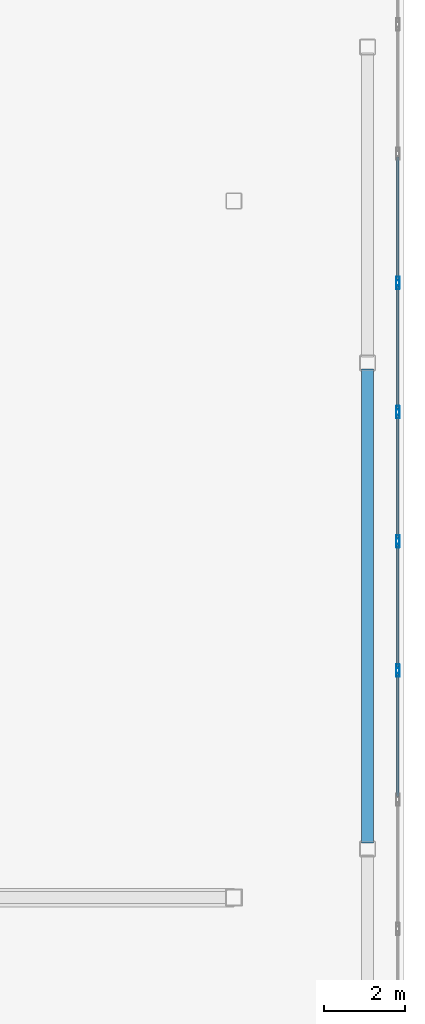
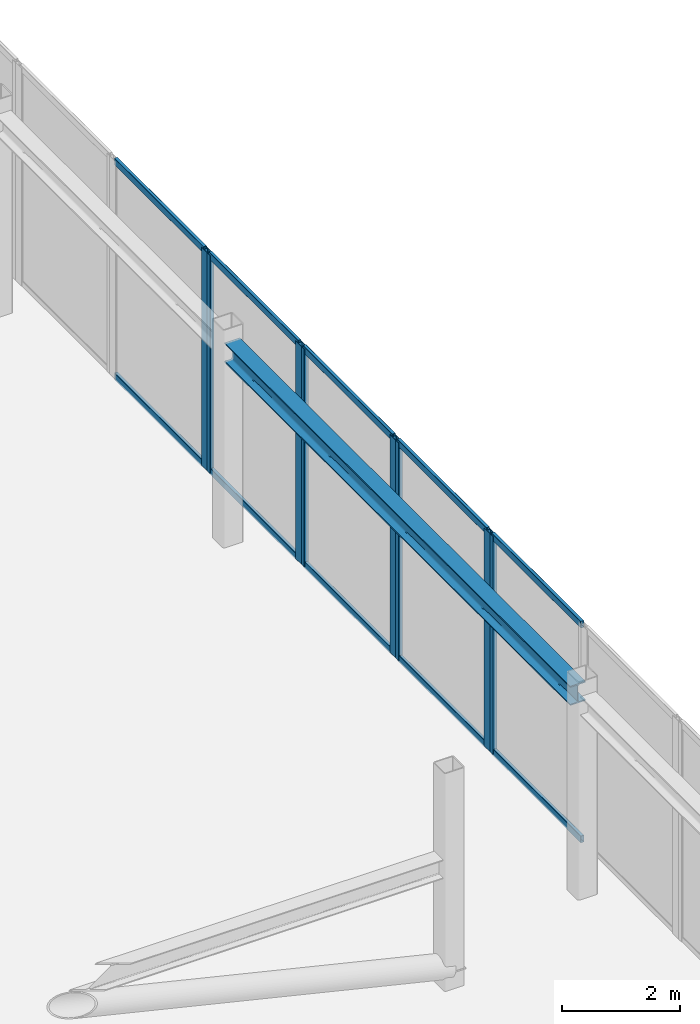
# One storey, part 9 of 16: 18 members, 1 beam, 5 elements without a shape of their own.
"""IFC4 building model written with IfcOpenShell, lengths in metres."""

from ifc_helpers import new_model, si_unit, direction, frame, origin, origin_2d, place, context, subcontext, project, spatial, hollow_rectangle, i_section, extrude, material, layer, layer_set, material_profile, profile_set, type_object, element, aggregate, save


model = new_model("IFC4")

# Units and contexts
model_context = context("Model", 3, precision=1e-05, world=origin(), true_north=direction((0.0, 1.0)))
body_context = subcontext(model_context, "Body", "Model", "MODEL_VIEW")
ifc_project = project(units=[si_unit("LENGTHUNIT", "METRE"), si_unit("AREAUNIT", "SQUARE_METRE"), si_unit("VOLUMEUNIT", "CUBIC_METRE"), si_unit("PLANEANGLEUNIT", "RADIAN"), si_unit("MASSUNIT", "GRAM", prefix="KILO")], contexts=[model_context])

# Site, building, storey
site_placement = place(None, origin())
site = spatial("IfcSite", under=ifc_project, at=site_placement, CompositionType="ELEMENT")
building_placement = place(site_placement, origin())
building = spatial("IfcBuilding", under=site, at=building_placement, Name="Tarnavaz Court Tower", CompositionType="ELEMENT")
storey_placement = place(building_placement, frame((0.0, 0.0, 290.550048828125)))
storey = spatial("IfcBuildingStorey", under=building, at=storey_placement, Name="C03", CompositionType="ELEMENT", Elevation=290.550048828125)

# Beam
ifc_material_1 = material(Name="Steel S355", Category="steel")
ifc_material_profile_1 = material_profile(ifc_material_1, i_section(OverallWidth=0.300048828125, OverallDepth=0.39990234375, WebThickness=0.013427734375, FlangeThickness=0.02392578125, FilletRadius=0.027099609375, at=origin_2d()), Name="HEB 400")
ifc_profile_set_1 = profile_set([ifc_material_profile_1], Name="Steel S355")
beam_type = type_object("IfcBeamType", Name="BM-G-HEB400", PredefinedType="USERDEFINED", material=ifc_profile_set_1)
beam_placement = place(storey_placement, frame((21.89990234375, -5.85009765625, 4.0), z_axis=(0.0, 1.0, 0.0), x_axis=(-1.0, 0.0, 0.0)))
element("IfcBeam", 1, at=beam_placement, inside=storey, type_object=beam_type, Name="C03 Beam CRG-PE-2-PE-3", ObjectType="GIRDER", PredefinedType="USERDEFINED", context=body_context, shape_type="SweptSolid", body=[
    extrude(i_section(OverallWidth=0.300048828125, OverallDepth=0.39990234375, WebThickness=0.013427734375, FlangeThickness=0.02392578125, FilletRadius=0.027099609375, at=origin_2d()), origin(), (0.0, 0.0, 1.0), 11.7001953125),
])

# Curtain wall, member
ifc_material_2 = material(Name="Anodised Aluminium 6063-T6 and Solar Low-E Glazing", Category="aluminium")
ifc_layer = layer(ifc_material_2, 0.2099609375)
ifc_layer_set = layer_set([ifc_layer], Name="Anodised Aluminium 6063-T6 and Solar Low-E Glazing")
curtain_wall_type = type_object("IfcCurtainWallType", Name="CW-SYS-06", PredefinedType="NOTDEFINED", material=ifc_layer_set)
curtain_wall_1_placement = place(storey_placement, origin())
curtain_wall_1 = element("IfcCurtainWall", 2, at=curtain_wall_1_placement, inside=storey, type_object=curtain_wall_type, Name="C03 Slanted Crown Terracotta Curtain Wall 26", PredefinedType="NOTDEFINED")
ifc_material_3 = material(Name="Anodised Aluminium 6063-T6", Category="aluminium")
ifc_material_profile_2 = material_profile(ifc_material_3, hollow_rectangle(XDim=0.0849609375, YDim=0.219970703125, WallThickness=0.006103515625, InnerFilletRadius=0.006103515625, OuterFilletRadius=0.011962890625, at=origin_2d()), Name="ALU RHS 220X85X6")
ifc_profile_set_2 = profile_set([ifc_material_profile_2], Name="Anodised Aluminium 6063-T6")
member_type_1 = type_object("IfcMemberType", Name="CW-MUL-220", PredefinedType="MULLION", material=ifc_profile_set_2)
member_1_placement = place(storey_placement, frame((22.64990234375, 8.019775390625, 0.0), z_axis=(0.0, 0.0, 1.0), x_axis=(1.0, 0.0, 0.0)))
member_1 = element("IfcMember", 3, at=member_1_placement, type_object=member_type_1, Name="CW mullion 2", PredefinedType="MULLION", context=body_context, shape_type="SweptSolid", body=[
    extrude(hollow_rectangle(XDim=0.0849609375, YDim=0.219970703125, WallThickness=0.006103515625, InnerFilletRadius=0.006103515625, OuterFilletRadius=0.011962890625, at=origin_2d()), origin(), (0.0, 0.0, 1.0), 4.5),
])

# Curtain wall, members
curtain_wall_2_placement = place(storey_placement, origin())
curtain_wall_2 = element("IfcCurtainWall", 4, at=curtain_wall_2_placement, inside=storey, type_object=curtain_wall_type, Name="C03 Slanted Crown Terracotta Curtain Wall 27", PredefinedType="NOTDEFINED")
member_2_placement = place(storey_placement, frame((22.64990234375, 7.934814453125, 0.0), z_axis=(0.0, 0.0, 1.0), x_axis=(1.0, 0.0, 0.0)))
member_2 = element("IfcMember", 5, at=member_2_placement, type_object=member_type_1, Name="CW mullion 1", PredefinedType="MULLION", context=body_context, shape_type="SweptSolid", body=[
    extrude(hollow_rectangle(XDim=0.0849609375, YDim=0.219970703125, WallThickness=0.006103515625, InnerFilletRadius=0.006103515625, OuterFilletRadius=0.011962890625, at=origin_2d()), origin(), (0.0, 0.0, 1.0), 4.5),
])
member_3_placement = place(storey_placement, frame((22.64990234375, 4.828857421875, 0.0), z_axis=(0.0, 0.0, 1.0), x_axis=(1.0, 0.0, 0.0)))
member_3 = element("IfcMember", 6, at=member_3_placement, type_object=member_type_1, Name="CW mullion 2", PredefinedType="MULLION", context=body_context, shape_type="SweptSolid", body=[
    extrude(hollow_rectangle(XDim=0.0849609375, YDim=0.219970703125, WallThickness=0.006103515625, InnerFilletRadius=0.006103515625, OuterFilletRadius=0.011962890625, at=origin_2d()), origin(), (0.0, 0.0, 1.0), 4.5),
])

curtain_wall_3_placement = place(storey_placement, origin())
curtain_wall_3 = element("IfcCurtainWall", 7, at=curtain_wall_3_placement, inside=storey, type_object=curtain_wall_type, Name="C03 Slanted Crown Terracotta Curtain Wall 28", PredefinedType="NOTDEFINED")
member_4_placement = place(storey_placement, frame((22.64990234375, 4.743896484375, 0.0), z_axis=(0.0, 0.0, 1.0), x_axis=(1.0, 0.0, 0.0)))
member_4 = element("IfcMember", 8, at=member_4_placement, type_object=member_type_1, Name="CW mullion 1", PredefinedType="MULLION", context=body_context, shape_type="SweptSolid", body=[
    extrude(hollow_rectangle(XDim=0.0849609375, YDim=0.219970703125, WallThickness=0.006103515625, InnerFilletRadius=0.006103515625, OuterFilletRadius=0.011962890625, at=origin_2d()), origin(), (0.0, 0.0, 1.0), 4.5),
])
member_5_placement = place(storey_placement, frame((22.64990234375, 1.637939453125, 0.0), z_axis=(0.0, 0.0, 1.0), x_axis=(1.0, 0.0, 0.0)))
member_5 = element("IfcMember", 9, at=member_5_placement, type_object=member_type_1, Name="CW mullion 2", PredefinedType="MULLION", context=body_context, shape_type="SweptSolid", body=[
    extrude(hollow_rectangle(XDim=0.0849609375, YDim=0.219970703125, WallThickness=0.006103515625, InnerFilletRadius=0.006103515625, OuterFilletRadius=0.011962890625, at=origin_2d()), origin(), (0.0, 0.0, 1.0), 4.5),
])

curtain_wall_4_placement = place(storey_placement, origin())
curtain_wall_4 = element("IfcCurtainWall", 10, at=curtain_wall_4_placement, inside=storey, type_object=curtain_wall_type, Name="C03 Slanted Crown Terracotta Curtain Wall 29", PredefinedType="NOTDEFINED")
member_6_placement = place(storey_placement, frame((22.64990234375, 1.552978515625, 0.0), z_axis=(0.0, 0.0, 1.0), x_axis=(1.0, 0.0, 0.0)))
member_6 = element("IfcMember", 11, at=member_6_placement, type_object=member_type_1, Name="CW mullion 1", PredefinedType="MULLION", context=body_context, shape_type="SweptSolid", body=[
    extrude(hollow_rectangle(XDim=0.0849609375, YDim=0.219970703125, WallThickness=0.006103515625, InnerFilletRadius=0.006103515625, OuterFilletRadius=0.011962890625, at=origin_2d()), origin(), (0.0, 0.0, 1.0), 4.5),
])
member_7_placement = place(storey_placement, frame((22.64990234375, -1.552978515625, 0.0), z_axis=(0.0, 0.0, 1.0), x_axis=(1.0, 0.0, 0.0)))
member_7 = element("IfcMember", 12, at=member_7_placement, type_object=member_type_1, Name="CW mullion 2", PredefinedType="MULLION", context=body_context, shape_type="SweptSolid", body=[
    extrude(hollow_rectangle(XDim=0.0849609375, YDim=0.219970703125, WallThickness=0.006103515625, InnerFilletRadius=0.006103515625, OuterFilletRadius=0.011962890625, at=origin_2d()), origin(), (0.0, 0.0, 1.0), 4.5),
])

# Curtain wall, member
curtain_wall_5_placement = place(storey_placement, origin())
curtain_wall_5 = element("IfcCurtainWall", 13, at=curtain_wall_5_placement, inside=storey, type_object=curtain_wall_type, Name="C03 Slanted Crown Terracotta Curtain Wall 30", PredefinedType="NOTDEFINED")
member_8_placement = place(storey_placement, frame((22.64990234375, -1.637939453125, 0.0), z_axis=(0.0, 0.0, 1.0), x_axis=(1.0, 0.0, 0.0)))
member_8 = element("IfcMember", 14, at=member_8_placement, type_object=member_type_1, Name="CW mullion 1", PredefinedType="MULLION", context=body_context, shape_type="SweptSolid", body=[
    extrude(hollow_rectangle(XDim=0.0849609375, YDim=0.219970703125, WallThickness=0.006103515625, InnerFilletRadius=0.006103515625, OuterFilletRadius=0.011962890625, at=origin_2d()), origin(), (0.0, 0.0, 1.0), 4.5),
])

# Member
ifc_material_profile_3 = material_profile(ifc_material_3, hollow_rectangle(XDim=0.06494140625, YDim=0.139892578125, WallThickness=0.00390625, InnerFilletRadius=0.00390625, OuterFilletRadius=0.008056640625, at=origin_2d()), Name="ALU RHS 140X65X4")
ifc_profile_set_3 = profile_set([ifc_material_profile_3], Name="Anodised Aluminium 6063-T6")
member_type_2 = type_object("IfcMemberType", Name="CW-TRN-140", PredefinedType="USERDEFINED", material=ifc_profile_set_3)
member_9_placement = place(storey_placement, frame((22.64990234375, 11.083251953125, 0.032470703125), z_axis=(0.0, -1.0, 0.0), x_axis=(1.0, 0.0, 0.0)))
member_9 = element("IfcMember", 15, at=member_9_placement, type_object=member_type_2, Name="CW transom 1.1", ObjectType="TRANSOM", PredefinedType="USERDEFINED", context=body_context, shape_type="SweptSolid", body=[
    extrude(hollow_rectangle(XDim=0.06494140625, YDim=0.139892578125, WallThickness=0.00390625, InnerFilletRadius=0.00390625, OuterFilletRadius=0.008056640625, at=origin_2d()), origin(), (0.0, 0.0, 1.0), 3.02099609375),
])

member_10_placement = place(storey_placement, frame((22.64990234375, 11.083251953125, 4.467529296875), z_axis=(0.0, -1.0, 0.0), x_axis=(1.0, 0.0, 0.0)))
member_10 = element("IfcMember", 16, at=member_10_placement, type_object=member_type_2, Name="CW transom 1.2", ObjectType="TRANSOM", PredefinedType="USERDEFINED", context=body_context, shape_type="SweptSolid", body=[
    extrude(hollow_rectangle(XDim=0.06494140625, YDim=0.139892578125, WallThickness=0.00390625, InnerFilletRadius=0.00390625, OuterFilletRadius=0.008056640625, at=origin_2d()), origin(), (0.0, 0.0, 1.0), 3.02099609375),
])

aggregate(curtain_wall_1, [member_1, member_9, member_10])

member_11_placement = place(storey_placement, frame((22.64990234375, 7.892333984375, 0.032470703125), z_axis=(0.0, -1.0, 0.0), x_axis=(1.0, 0.0, 0.0)))
member_11 = element("IfcMember", 17, at=member_11_placement, type_object=member_type_2, Name="CW transom 1.1", ObjectType="TRANSOM", PredefinedType="USERDEFINED", context=body_context, shape_type="SweptSolid", body=[
    extrude(hollow_rectangle(XDim=0.06494140625, YDim=0.139892578125, WallThickness=0.00390625, InnerFilletRadius=0.00390625, OuterFilletRadius=0.008056640625, at=origin_2d()), origin(), (0.0, 0.0, 1.0), 3.02099609375),
])

member_12_placement = place(storey_placement, frame((22.64990234375, 7.892333984375, 4.467529296875), z_axis=(0.0, -1.0, 0.0), x_axis=(1.0, 0.0, 0.0)))
member_12 = element("IfcMember", 18, at=member_12_placement, type_object=member_type_2, Name="CW transom 1.2", ObjectType="TRANSOM", PredefinedType="USERDEFINED", context=body_context, shape_type="SweptSolid", body=[
    extrude(hollow_rectangle(XDim=0.06494140625, YDim=0.139892578125, WallThickness=0.00390625, InnerFilletRadius=0.00390625, OuterFilletRadius=0.008056640625, at=origin_2d()), origin(), (0.0, 0.0, 1.0), 3.02099609375),
])

aggregate(curtain_wall_2, [member_2, member_3, member_11, member_12])

member_13_placement = place(storey_placement, frame((22.64990234375, 4.701416015625, 0.032470703125), z_axis=(0.0, -1.0, 0.0), x_axis=(1.0, 0.0, 0.0)))
member_13 = element("IfcMember", 19, at=member_13_placement, type_object=member_type_2, Name="CW transom 1.1", ObjectType="TRANSOM", PredefinedType="USERDEFINED", context=body_context, shape_type="SweptSolid", body=[
    extrude(hollow_rectangle(XDim=0.06494140625, YDim=0.139892578125, WallThickness=0.00390625, InnerFilletRadius=0.00390625, OuterFilletRadius=0.008056640625, at=origin_2d()), origin(), (0.0, 0.0, 1.0), 3.02099609375),
])

member_14_placement = place(storey_placement, frame((22.64990234375, 4.701416015625, 4.467529296875), z_axis=(0.0, -1.0, 0.0), x_axis=(1.0, 0.0, 0.0)))
member_14 = element("IfcMember", 20, at=member_14_placement, type_object=member_type_2, Name="CW transom 1.2", ObjectType="TRANSOM", PredefinedType="USERDEFINED", context=body_context, shape_type="SweptSolid", body=[
    extrude(hollow_rectangle(XDim=0.06494140625, YDim=0.139892578125, WallThickness=0.00390625, InnerFilletRadius=0.00390625, OuterFilletRadius=0.008056640625, at=origin_2d()), origin(), (0.0, 0.0, 1.0), 3.02099609375),
])

aggregate(curtain_wall_3, [member_4, member_5, member_13, member_14])

member_15_placement = place(storey_placement, frame((22.64990234375, 1.510498046875, 0.032470703125), z_axis=(0.0, -1.0, 0.0), x_axis=(1.0, 0.0, 0.0)))
member_15 = element("IfcMember", 21, at=member_15_placement, type_object=member_type_2, Name="CW transom 1.1", ObjectType="TRANSOM", PredefinedType="USERDEFINED", context=body_context, shape_type="SweptSolid", body=[
    extrude(hollow_rectangle(XDim=0.06494140625, YDim=0.139892578125, WallThickness=0.00390625, InnerFilletRadius=0.00390625, OuterFilletRadius=0.008056640625, at=origin_2d()), origin(), (0.0, 0.0, 1.0), 3.02099609375),
])

member_16_placement = place(storey_placement, frame((22.64990234375, 1.510498046875, 4.467529296875), z_axis=(0.0, -1.0, 0.0), x_axis=(1.0, 0.0, 0.0)))
member_16 = element("IfcMember", 22, at=member_16_placement, type_object=member_type_2, Name="CW transom 1.2", ObjectType="TRANSOM", PredefinedType="USERDEFINED", context=body_context, shape_type="SweptSolid", body=[
    extrude(hollow_rectangle(XDim=0.06494140625, YDim=0.139892578125, WallThickness=0.00390625, InnerFilletRadius=0.00390625, OuterFilletRadius=0.008056640625, at=origin_2d()), origin(), (0.0, 0.0, 1.0), 3.02099609375),
])

aggregate(curtain_wall_4, [member_6, member_7, member_15, member_16])

member_17_placement = place(storey_placement, frame((22.64990234375, -1.680419921875, 0.032470703125), z_axis=(0.0, -1.0, 0.0), x_axis=(1.0, 0.0, 0.0)))
member_17 = element("IfcMember", 23, at=member_17_placement, type_object=member_type_2, Name="CW transom 1.1", ObjectType="TRANSOM", PredefinedType="USERDEFINED", context=body_context, shape_type="SweptSolid", body=[
    extrude(hollow_rectangle(XDim=0.06494140625, YDim=0.139892578125, WallThickness=0.00390625, InnerFilletRadius=0.00390625, OuterFilletRadius=0.008056640625, at=origin_2d()), origin(), (0.0, 0.0, 1.0), 3.02099609375),
])

member_18_placement = place(storey_placement, frame((22.64990234375, -1.680419921875, 4.467529296875), z_axis=(0.0, -1.0, 0.0), x_axis=(1.0, 0.0, 0.0)))
member_18 = element("IfcMember", 24, at=member_18_placement, type_object=member_type_2, Name="CW transom 1.2", ObjectType="TRANSOM", PredefinedType="USERDEFINED", context=body_context, shape_type="SweptSolid", body=[
    extrude(hollow_rectangle(XDim=0.06494140625, YDim=0.139892578125, WallThickness=0.00390625, InnerFilletRadius=0.00390625, OuterFilletRadius=0.008056640625, at=origin_2d()), origin(), (0.0, 0.0, 1.0), 3.02099609375),
])

aggregate(curtain_wall_5, [member_8, member_17, member_18])

save(model, "model.ifc")
